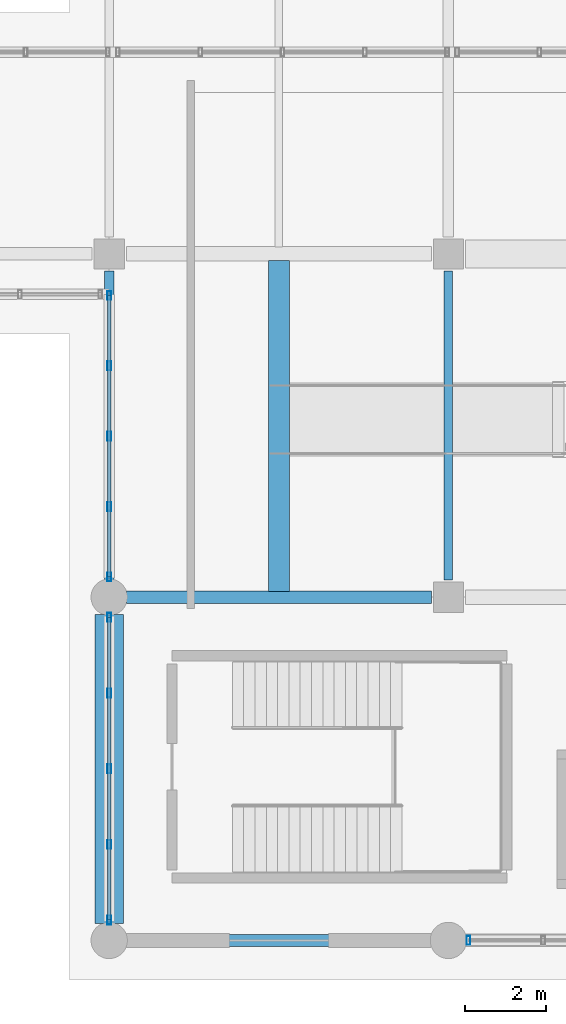
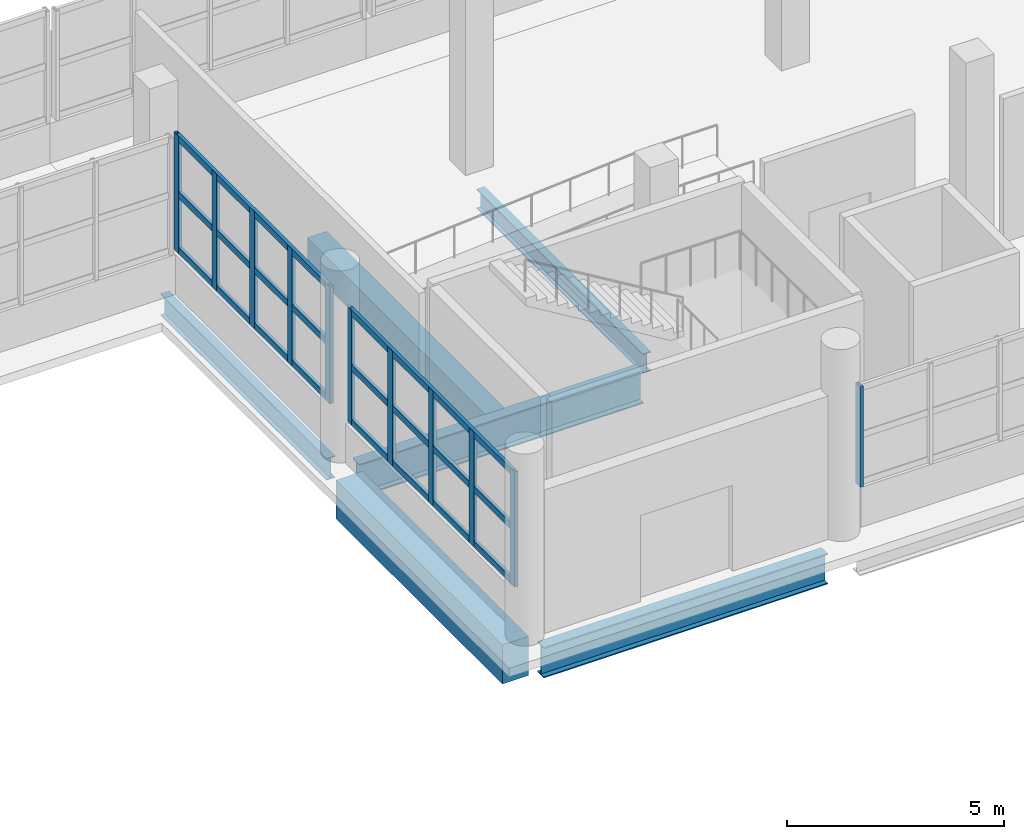
# One storey, part 43 of 107: 17 members, 6 beams, 3 elements without a shape of their own.
"""IFC4 building model written with IfcOpenShell, lengths in metres."""

from ifc_helpers import new_model, si_unit, direction, frame, origin, origin_2d, place, context, subcontext, project, spatial, rectangle, hollow_rectangle, i_section, extrude, material, material_profile, profile_set, type_object, element, aggregate, save


model = new_model("IFC4")

# Units and contexts
model_context = context("Model", 3, precision=1e-05, world=origin(), true_north=direction((0.0, 1.0)))
body_context = subcontext(model_context, "Body", "Model", "MODEL_VIEW")
ifc_project = project(units=[si_unit("LENGTHUNIT", "METRE"), si_unit("AREAUNIT", "SQUARE_METRE"), si_unit("VOLUMEUNIT", "CUBIC_METRE"), si_unit("PLANEANGLEUNIT", "RADIAN"), si_unit("MASSUNIT", "GRAM", prefix="KILO")], contexts=[model_context])

# Site, building, storey
site_placement = place(None, origin())
site = spatial("IfcSite", under=ifc_project, at=site_placement, CompositionType="ELEMENT")
building_placement = place(site_placement, origin())
building = spatial("IfcBuilding", under=site, at=building_placement, Name="Solvento Point Concert Hall", CompositionType="ELEMENT")
storey_placement = place(building_placement, origin())
storey = spatial("IfcBuildingStorey", under=building, at=storey_placement, Name="L00", CompositionType="ELEMENT", Elevation=0.0)

# Beams
ifc_material_1 = material(Name="Concrete C35/45", Category="concrete")
ifc_material_profile_1 = material_profile(ifc_material_1, rectangle(XDim=0.52001953125, YDim=0.840087890625, at=origin_2d()), Name="RC-BM-520X840")
ifc_profile_set_1 = profile_set([ifc_material_profile_1], Name="Concrete C35/45")
beam_type_1 = type_object("IfcBeamType", Name="Beam_RC_520x840", PredefinedType="BEAM", material=ifc_profile_set_1)
beam_1_placement = place(storey_placement, frame((154.199951171875, 8.638671875, -0.833984375), z_axis=(0.0, 1.0, 0.0), x_axis=(-1.0, 0.0, 0.0)))
element("IfcBeam", 1, at=beam_1_placement, inside=storey, type_object=beam_type_1, Name="Secondary floor joist B-54 L00", PredefinedType="BEAM", context=body_context, shape_type="SweptSolid", body=[
    extrude(rectangle(XDim=0.52001953125, YDim=0.840087890625, at=origin_2d()), origin(), (0.0, 0.0, 1.0), 8.19580078125),
])
ifc_material_2 = material(Name="Structural Steel ASTM A992 Grade 50", Category="steel")
ifc_material_profile_2 = material_profile(ifc_material_2, i_section(OverallWidth=0.214111328125, OverallDepth=0.549072265625, WebThickness=0.0146484375, FlangeThickness=0.023681640625, at=origin_2d()), Name="W21X93")
ifc_profile_set_2 = profile_set([ifc_material_profile_2], Name="Structural Steel ASTM A992 Grade 50")
beam_type_2 = type_object("IfcBeamType", Name="Beam_W21X93", PredefinedType="BEAM", material=ifc_profile_set_2)
beam_2_placement = place(storey_placement, frame((158.39990234375, 8.924072265625, -0.6884765625), z_axis=(0.0, 1.0, 0.0), x_axis=(-1.0, 0.0, 0.0)))
element("IfcBeam", 2, at=beam_2_placement, inside=storey, type_object=beam_type_2, Name="Primary girder B-48 L00", PredefinedType="BEAM", context=body_context, shape_type="SweptSolid", body=[
    extrude(i_section(OverallWidth=0.214111328125, OverallDepth=0.549072265625, WebThickness=0.0146484375, FlangeThickness=0.023681640625, at=origin_2d()), origin(), (0.0, 0.0, 1.0), 7.65185546875),
])
ifc_material_3 = material(Name="Structural Steel ASTM A992 Grade 50", Category="steel")
ifc_material_profile_3 = material_profile(ifc_material_3, i_section(OverallWidth=0.228515625, OverallDepth=0.60791015625, WebThickness=0.01123046875, FlangeThickness=0.017333984375, at=origin_2d()), Name="W24X76")
ifc_profile_set_3 = profile_set([ifc_material_profile_3], Name="Structural Steel ASTM A992 Grade 50")
beam_type_3 = type_object("IfcBeamType", Name="Beam_W24X76", PredefinedType="BEAM", material=ifc_profile_set_3)
beam_3_placement = place(storey_placement, frame((150.0, 8.924072265625, -0.718017578125), z_axis=(0.0, 1.0, 0.0), x_axis=(-1.0, 0.0, 0.0)))
element("IfcBeam", 3, at=beam_3_placement, inside=storey, type_object=beam_type_3, Name="Primary girder B-42 L00", PredefinedType="BEAM", context=body_context, shape_type="SweptSolid", body=[
    extrude(i_section(OverallWidth=0.228515625, OverallDepth=0.60791015625, WebThickness=0.01123046875, FlangeThickness=0.017333984375, at=origin_2d()), origin(), (0.0, 0.0, 1.0), 7.65185546875),
])
ifc_material_4 = material(Name="Concrete C35/45", Category="concrete")
ifc_material_profile_4 = material_profile(ifc_material_4, rectangle(XDim=0.699951171875, YDim=1.10009765625, at=origin_2d()), Name="RC-BM-700X1100")
ifc_profile_set_4 = profile_set([ifc_material_profile_4], Name="Concrete C35/45")
beam_type_4 = type_object("IfcBeamType", Name="Girder_RC_700x1100", PredefinedType="USERDEFINED", material=ifc_profile_set_4)
beam_4_placement = place(storey_placement, frame((150.0, 0.424072265625, -0.964111328125), z_axis=(0.0, 1.0, 0.0), x_axis=(-1.0, 0.0, 0.0)))
element("IfcBeam", 4, at=beam_4_placement, inside=storey, type_object=beam_type_4, Name="Primary girder B-49 L00", ObjectType="GIRDER", PredefinedType="USERDEFINED", context=body_context, shape_type="SweptSolid", body=[
    extrude(rectangle(XDim=0.699951171875, YDim=1.10009765625, at=origin_2d()), origin(), (0.0, 0.0, 1.0), 7.65185546875),
])
ifc_material_5 = material(Name="Structural Steel ASTM A992 Grade 50", Category="steel")
ifc_material_profile_5 = material_profile(ifc_material_5, i_section(OverallWidth=0.2919921875, OverallDepth=0.85888671875, WebThickness=0.01708984375, FlangeThickness=0.031005859375, at=origin_2d()), Name="W33X169")
ifc_profile_set_5 = profile_set([ifc_material_profile_5], Name="Structural Steel ASTM A992 Grade 50")
beam_type_5 = type_object("IfcBeamType", Name="Girder_W33X169", PredefinedType="USERDEFINED", material=ifc_profile_set_5)
beam_5_placement = place(storey_placement, frame((150.424072265625, 0.0, -0.843505859375), z_axis=(1.0, 0.0, 0.0), x_axis=(0.0, 1.0, 0.0)))
element("IfcBeam", 5, at=beam_5_placement, inside=storey, type_object=beam_type_5, Name="Primary girder B-33 L00", ObjectType="GIRDER", PredefinedType="USERDEFINED", context=body_context, shape_type="SweptSolid", body=[
    extrude(i_section(OverallWidth=0.2919921875, OverallDepth=0.85888671875, WebThickness=0.01708984375, FlangeThickness=0.031005859375, at=origin_2d()), origin(), (0.0, 0.0, 1.0), 7.552001953125),
])
ifc_material_6 = material(Name="Structural Steel ASTM A992 Grade 50", Category="steel")
ifc_material_profile_6 = material_profile(ifc_material_6, i_section(OverallWidth=0.3076171875, OverallDepth=0.927001953125, WebThickness=0.019287109375, FlangeThickness=0.031982421875, at=origin_2d()), Name="W36X194")
ifc_profile_set_6 = profile_set([ifc_material_profile_6], Name="Structural Steel ASTM A992 Grade 50")
beam_type_6 = type_object("IfcBeamType", Name="Girder_W36X194", PredefinedType="USERDEFINED", material=ifc_profile_set_6)
beam_6_placement = place(storey_placement, frame((150.424072265625, 8.5, -0.87744140625), z_axis=(1.0, 0.0, 0.0), x_axis=(0.0, 1.0, 0.0)))
element("IfcBeam", 6, at=beam_6_placement, inside=storey, type_object=beam_type_6, Name="Primary girder B-61 L00", ObjectType="GIRDER", PredefinedType="USERDEFINED", context=body_context, shape_type="SweptSolid", body=[
    extrude(i_section(OverallWidth=0.3076171875, OverallDepth=0.927001953125, WebThickness=0.019287109375, FlangeThickness=0.031982421875, at=origin_2d()), origin(), (0.0, 0.0, 1.0), 7.552001953125),
])

# Curtain wall, member
ifc_material_7 = material(Name="Anodized Bronze Aluminium", Category="aluminium")
curtain_wall_type = type_object("IfcCurtainWallType", Name="CurtainWall_CafeVeranda", PredefinedType="USERDEFINED", material=ifc_material_7)
curtain_wall_1_placement = place(storey_placement, origin())
curtain_wall_1 = element("IfcCurtainWall", 7, at=curtain_wall_1_placement, inside=storey, type_object=curtain_wall_type, Name="Unitised curtain wall CW-42 UCW-L00-049", ObjectType="UNITISED CURTAIN WALL", PredefinedType="USERDEFINED")
ifc_material_8 = material(Name="Anodized Bronze Aluminium", Category="aluminium")
ifc_material_profile_7 = material_profile(ifc_material_8, hollow_rectangle(XDim=0.090087890625, YDim=0.219970703125, WallThickness=0.00439453125, at=origin_2d()), Name="CW-MUL-90X220")
ifc_profile_set_7 = profile_set([ifc_material_profile_7], Name="Anodized Bronze Aluminium")
member_type_1 = type_object("IfcMemberType", Name="Mullion_90x220", PredefinedType="MULLION", material=ifc_profile_set_7)
member_1_placement = place(storey_placement, frame((158.89990234375, 0.0, 1.1201171875), z_axis=(0.0, 0.0, 1.0), x_axis=(1.0, 0.0, 0.0)))
member_1 = element("IfcMember", 8, at=member_1_placement, type_object=member_type_1, Name="Curtain wall mullion ML-02", PredefinedType="MULLION", context=body_context, shape_type="SweptSolid", body=[
    extrude(hollow_rectangle(XDim=0.090087890625, YDim=0.219970703125, WallThickness=0.00439453125, at=origin_2d()), origin(), (0.0, 0.0, 1.0), 2.81787109375),
])
aggregate(curtain_wall_1, [member_1])

# Curtain wall, members
curtain_wall_2_placement = place(storey_placement, origin())
curtain_wall_2 = element("IfcCurtainWall", 9, at=curtain_wall_2_placement, inside=storey, type_object=curtain_wall_type, Name="Unitised curtain wall CW-42 UCW-L00-052", ObjectType="UNITISED CURTAIN WALL", PredefinedType="USERDEFINED")
member_2_placement = place(storey_placement, frame((150.0, 0.5, 1.1201171875), z_axis=(0.0, 0.0, 1.0), x_axis=(1.0, 0.0, 0.0)))
member_2 = element("IfcMember", 10, at=member_2_placement, type_object=member_type_1, Name="Curtain wall mullion ML-02", PredefinedType="MULLION", context=body_context, shape_type="SweptSolid", body=[
    extrude(hollow_rectangle(XDim=0.090087890625, YDim=0.219970703125, WallThickness=0.00439453125, at=origin_2d()), origin(), (0.0, 0.0, 1.0), 3.23583984375),
])
member_3_placement = place(storey_placement, frame((150.0, 2.375, 1.1201171875), z_axis=(0.0, 0.0, 1.0), x_axis=(1.0, 0.0, 0.0)))
member_3 = element("IfcMember", 11, at=member_3_placement, type_object=member_type_1, Name="Curtain wall mullion ML-02", PredefinedType="MULLION", context=body_context, shape_type="SweptSolid", body=[
    extrude(hollow_rectangle(XDim=0.090087890625, YDim=0.219970703125, WallThickness=0.00439453125, at=origin_2d()), origin(), (0.0, 0.0, 1.0), 3.23583984375),
])
member_4_placement = place(storey_placement, frame((150.0, 4.25, 1.1201171875), z_axis=(0.0, 0.0, 1.0), x_axis=(1.0, 0.0, 0.0)))
member_4 = element("IfcMember", 12, at=member_4_placement, type_object=member_type_1, Name="Curtain wall mullion ML-02", PredefinedType="MULLION", context=body_context, shape_type="SweptSolid", body=[
    extrude(hollow_rectangle(XDim=0.090087890625, YDim=0.219970703125, WallThickness=0.00439453125, at=origin_2d()), origin(), (0.0, 0.0, 1.0), 3.23583984375),
])
member_5_placement = place(storey_placement, frame((150.0, 6.125, 1.1201171875), z_axis=(0.0, 0.0, 1.0), x_axis=(1.0, 0.0, 0.0)))
member_5 = element("IfcMember", 13, at=member_5_placement, type_object=member_type_1, Name="Curtain wall mullion ML-02", PredefinedType="MULLION", context=body_context, shape_type="SweptSolid", body=[
    extrude(hollow_rectangle(XDim=0.090087890625, YDim=0.219970703125, WallThickness=0.00439453125, at=origin_2d()), origin(), (0.0, 0.0, 1.0), 3.23583984375),
])
member_6_placement = place(storey_placement, frame((150.0, 8.0, 1.1201171875), z_axis=(0.0, 0.0, 1.0), x_axis=(1.0, 0.0, 0.0)))
member_6 = element("IfcMember", 14, at=member_6_placement, type_object=member_type_1, Name="Curtain wall mullion ML-02", PredefinedType="MULLION", context=body_context, shape_type="SweptSolid", body=[
    extrude(hollow_rectangle(XDim=0.090087890625, YDim=0.219970703125, WallThickness=0.00439453125, at=origin_2d()), origin(), (0.0, 0.0, 1.0), 3.23583984375),
])

curtain_wall_3_placement = place(storey_placement, origin())
curtain_wall_3 = element("IfcCurtainWall", 15, at=curtain_wall_3_placement, inside=storey, type_object=curtain_wall_type, Name="Unitised curtain wall CW-42 UCW-L00-053", ObjectType="UNITISED CURTAIN WALL", PredefinedType="USERDEFINED")
member_7_placement = place(storey_placement, frame((150.0, 9.0, 1.1201171875), z_axis=(0.0, 0.0, 1.0), x_axis=(1.0, 0.0, 0.0)))
member_7 = element("IfcMember", 16, at=member_7_placement, type_object=member_type_1, Name="Curtain wall mullion ML-02", PredefinedType="MULLION", context=body_context, shape_type="SweptSolid", body=[
    extrude(hollow_rectangle(XDim=0.090087890625, YDim=0.219970703125, WallThickness=0.00439453125, at=origin_2d()), origin(), (0.0, 0.0, 1.0), 3.294921875),
])
member_8_placement = place(storey_placement, frame((150.0, 10.742431640625, 1.1201171875), z_axis=(0.0, 0.0, 1.0), x_axis=(1.0, 0.0, 0.0)))
member_8 = element("IfcMember", 17, at=member_8_placement, type_object=member_type_1, Name="Curtain wall mullion ML-02", PredefinedType="MULLION", context=body_context, shape_type="SweptSolid", body=[
    extrude(hollow_rectangle(XDim=0.090087890625, YDim=0.219970703125, WallThickness=0.00439453125, at=origin_2d()), origin(), (0.0, 0.0, 1.0), 3.294921875),
])
member_9_placement = place(storey_placement, frame((150.0, 12.485107421875, 1.1201171875), z_axis=(0.0, 0.0, 1.0), x_axis=(1.0, 0.0, 0.0)))
member_9 = element("IfcMember", 18, at=member_9_placement, type_object=member_type_1, Name="Curtain wall mullion ML-02", PredefinedType="MULLION", context=body_context, shape_type="SweptSolid", body=[
    extrude(hollow_rectangle(XDim=0.090087890625, YDim=0.219970703125, WallThickness=0.00439453125, at=origin_2d()), origin(), (0.0, 0.0, 1.0), 3.294921875),
])
member_10_placement = place(storey_placement, frame((150.0, 14.2275390625, 1.1201171875), z_axis=(0.0, 0.0, 1.0), x_axis=(1.0, 0.0, 0.0)))
member_10 = element("IfcMember", 19, at=member_10_placement, type_object=member_type_1, Name="Curtain wall mullion ML-02", PredefinedType="MULLION", context=body_context, shape_type="SweptSolid", body=[
    extrude(hollow_rectangle(XDim=0.090087890625, YDim=0.219970703125, WallThickness=0.00439453125, at=origin_2d()), origin(), (0.0, 0.0, 1.0), 3.294921875),
])
member_11_placement = place(storey_placement, frame((150.0, 15.969970703125, 1.1201171875), z_axis=(0.0, 0.0, 1.0), x_axis=(1.0, 0.0, 0.0)))
member_11 = element("IfcMember", 20, at=member_11_placement, type_object=member_type_1, Name="Curtain wall mullion ML-02", PredefinedType="MULLION", context=body_context, shape_type="SweptSolid", body=[
    extrude(hollow_rectangle(XDim=0.090087890625, YDim=0.219970703125, WallThickness=0.00439453125, at=origin_2d()), origin(), (0.0, 0.0, 1.0), 3.294921875),
])

# Member
ifc_material_9 = material(Name="Anodized Bronze Aluminium", Category="aluminium")
ifc_material_profile_8 = material_profile(ifc_material_9, hollow_rectangle(XDim=0.090087890625, YDim=0.179931640625, WallThickness=0.00439453125, at=origin_2d()), Name="CW-TRN-90X180")
ifc_profile_set_8 = profile_set([ifc_material_profile_8], Name="Anodized Bronze Aluminium")
member_type_2 = type_object("IfcMemberType", Name="Transom_90x180", PredefinedType="USERDEFINED", material=ifc_profile_set_8)
member_12_placement = place(storey_placement, frame((150.0, 0.5, 1.199951171875), z_axis=(0.0, 1.0, 0.0), x_axis=(-1.0, 0.0, 0.0)))
member_12 = element("IfcMember", 21, at=member_12_placement, type_object=member_type_2, Name="Curtain wall transom TR-02", ObjectType="TRANSOM", PredefinedType="USERDEFINED", context=body_context, shape_type="SweptSolid", body=[
    extrude(hollow_rectangle(XDim=0.090087890625, YDim=0.179931640625, WallThickness=0.00439453125, at=origin_2d()), origin(), (0.0, 0.0, 1.0), 7.5),
])

member_13_placement = place(storey_placement, frame((150.0, 0.5, 2.738037109375), z_axis=(0.0, 1.0, 0.0), x_axis=(-1.0, 0.0, 0.0)))
member_13 = element("IfcMember", 22, at=member_13_placement, type_object=member_type_2, Name="Curtain wall transom TR-02", ObjectType="TRANSOM", PredefinedType="USERDEFINED", context=body_context, shape_type="SweptSolid", body=[
    extrude(hollow_rectangle(XDim=0.090087890625, YDim=0.179931640625, WallThickness=0.00439453125, at=origin_2d()), origin(), (0.0, 0.0, 1.0), 7.5),
])

member_14_placement = place(storey_placement, frame((150.0, 0.5, 4.27587890625), z_axis=(0.0, 1.0, 0.0), x_axis=(-1.0, 0.0, 0.0)))
member_14 = element("IfcMember", 23, at=member_14_placement, type_object=member_type_2, Name="Curtain wall transom TR-02", ObjectType="TRANSOM", PredefinedType="USERDEFINED", context=body_context, shape_type="SweptSolid", body=[
    extrude(hollow_rectangle(XDim=0.090087890625, YDim=0.179931640625, WallThickness=0.00439453125, at=origin_2d()), origin(), (0.0, 0.0, 1.0), 7.5),
])

aggregate(curtain_wall_2, [member_2, member_3, member_4, member_5, member_6, member_12, member_13, member_14])

member_15_placement = place(storey_placement, frame((150.0, 9.0, 1.199951171875), z_axis=(0.0, 1.0, 0.0), x_axis=(-1.0, 0.0, 0.0)))
member_15 = element("IfcMember", 24, at=member_15_placement, type_object=member_type_2, Name="Curtain wall transom TR-02", ObjectType="TRANSOM", PredefinedType="USERDEFINED", context=body_context, shape_type="SweptSolid", body=[
    extrude(hollow_rectangle(XDim=0.090087890625, YDim=0.179931640625, WallThickness=0.00439453125, at=origin_2d()), origin(), (0.0, 0.0, 1.0), 6.969970703125),
])

member_16_placement = place(storey_placement, frame((150.0, 9.0, 2.767578125), z_axis=(0.0, 1.0, 0.0), x_axis=(-1.0, 0.0, 0.0)))
member_16 = element("IfcMember", 25, at=member_16_placement, type_object=member_type_2, Name="Curtain wall transom TR-02", ObjectType="TRANSOM", PredefinedType="USERDEFINED", context=body_context, shape_type="SweptSolid", body=[
    extrude(hollow_rectangle(XDim=0.090087890625, YDim=0.179931640625, WallThickness=0.00439453125, at=origin_2d()), origin(), (0.0, 0.0, 1.0), 6.969970703125),
])

member_17_placement = place(storey_placement, frame((150.0, 9.0, 4.3349609375), z_axis=(0.0, 1.0, 0.0), x_axis=(-1.0, 0.0, 0.0)))
member_17 = element("IfcMember", 26, at=member_17_placement, type_object=member_type_2, Name="Curtain wall transom TR-02", ObjectType="TRANSOM", PredefinedType="USERDEFINED", context=body_context, shape_type="SweptSolid", body=[
    extrude(hollow_rectangle(XDim=0.090087890625, YDim=0.179931640625, WallThickness=0.00439453125, at=origin_2d()), origin(), (0.0, 0.0, 1.0), 6.969970703125),
])

aggregate(curtain_wall_3, [member_7, member_8, member_9, member_10, member_11, member_15, member_16, member_17])

save(model, "model.ifc")
